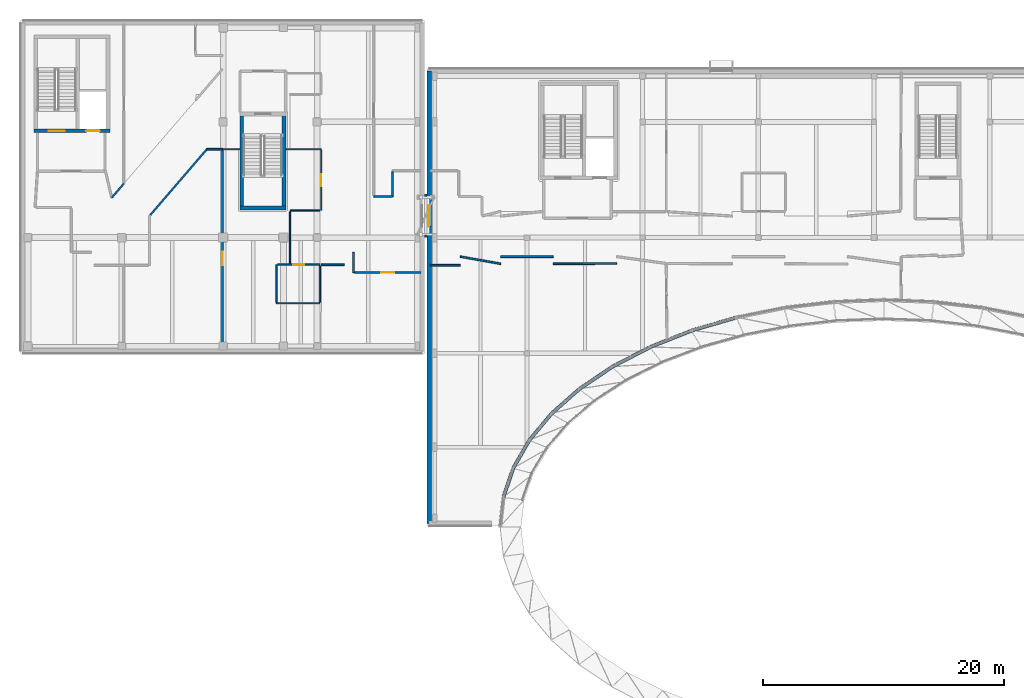
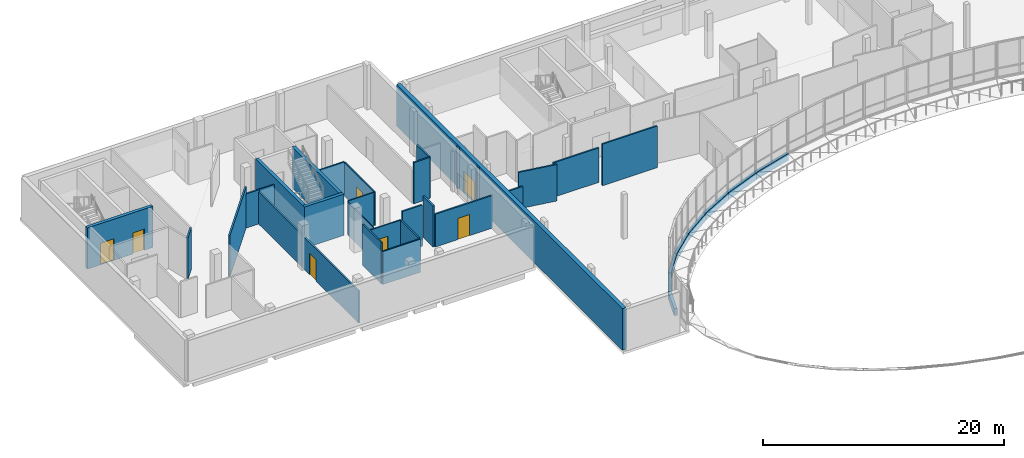
# One storey, part 25 of 41: 37 walls, 7 doors, 7 openings.
"""IFC4 building model written with IfcOpenShell, lengths in metres."""

from ifc_helpers import new_model, si_unit, direction, frame, frame_2d, origin, place, context, subcontext, project, spatial, rectangle, extrude, material, layer, layer_set, type_object, element, fill, save


model = new_model("IFC4")

# Units and contexts
model_context = context("Model", 3, precision=1e-05, world=origin(), true_north=direction((0.0, 1.0)))
body_context = subcontext(model_context, "Body", "Model", "MODEL_VIEW")
ifc_project = project(units=[si_unit("LENGTHUNIT", "METRE"), si_unit("AREAUNIT", "SQUARE_METRE"), si_unit("VOLUMEUNIT", "CUBIC_METRE"), si_unit("PLANEANGLEUNIT", "RADIAN"), si_unit("MASSUNIT", "GRAM", prefix="KILO")], contexts=[model_context])

# Site, building, storey
site_placement = place(None, origin())
site = spatial("IfcSite", under=ifc_project, at=site_placement, CompositionType="ELEMENT")
building_placement = place(site_placement, origin())
building = spatial("IfcBuilding", under=site, at=building_placement, Name="Mzevani Central Library", CompositionType="ELEMENT")
storey_placement = place(building_placement, frame((0.0, 0.0, 13.800048828125)))
storey = spatial("IfcBuildingStorey", under=building, at=storey_placement, Name="L03", CompositionType="ELEMENT", Elevation=13.800048828125)

# Walls
ifc_material_1 = material(Name="Concrete C35/45", Category="concrete")
ifc_layer_1 = layer(ifc_material_1, 0.199951171875, Name="Compartment Wall 200")
ifc_layer_set_1 = layer_set([ifc_layer_1], Name="Concrete C35/45")
wall_type_1 = type_object("IfcWallType", Name="Compartment Wall 200", PredefinedType="STANDARD", material=ifc_layer_set_1)
for number, where, z_axis, x_axis, name in (
    (1, (45.89990234375, 100.10009765625, 0.0), (0.0, 0.0, 1.0), (1.0, 0.0, 0.0), "L03 Stacks-Court Seismic Passage L03 Seismic Joint Enclosure Wall 1"),
    (2, (45.89990234375, 103.5, 0.0), (0.0, 0.0, 1.0), (1.0, 0.0, 0.0), "L03 Stacks-Court Seismic Passage L03 Seismic Joint Enclosure Wall 2"),
):
    element("IfcWall", number, at=place(storey_placement, frame(where, z_axis=z_axis, x_axis=x_axis)), inside=storey, type_object=wall_type_1, Name=name, PredefinedType="STANDARD", context=body_context, shape_type="SweptSolid", body=[
        extrude(rectangle(XDim=0.2001953125, YDim=0.199951171875, at=frame_2d((0.10009765625, 0.0))), origin(), (0.0, 0.0, 1.0), 4.239990234375),
    ])

# Wall, openings, doors
ifc_material_2 = material(Name="Concrete C40/50", Category="concrete")
ifc_layer_2 = layer(ifc_material_2, 0.300048828125, Name="Core Shear Wall 300")
ifc_layer_set_2 = layer_set([ifc_layer_2], Name="Concrete C40/50")
wall_type_2 = type_object("IfcWallType", Name="Core Shear Wall 300", PredefinedType="SHEAR", material=ifc_layer_set_2)
wall_1_placement = place(storey_placement, frame((19.800048828125, 108.85009765625, 0.0), z_axis=(0.0, 0.0, 1.0), x_axis=(-1.0, 0.0, 0.0)))
wall_1 = element("IfcWall", 3, at=wall_1_placement, inside=storey, type_object=wall_type_2, Name="L03 Core C2A North-West Firefighting Core Shear Wall (-y)", PredefinedType="SHEAR", context=body_context, shape_type="SweptSolid", body=[
    extrude(rectangle(XDim=6.300048828125, YDim=0.300048828125, at=frame_2d((3.14990234375, 0.0))), origin(), (0.0, 0.0, 1.0), 4.179931640625),
])
opening_1_placement = place(wall_1_placement, frame((3.75, 0.0, 0.0)))
opening_1 = element("IfcOpeningElement", 4, at=opening_1_placement, cuts=wall_1, Name="Opening FD-01", PredefinedType="OPENING", context=body_context, shape_type="SweptSolid", body=[
    extrude(rectangle(XDim=1.300048828125, YDim=2.199951171875, at=frame_2d((0.64990234375, 1.10009765625))), frame((0.0, 0.16015625, 0.0), z_axis=(0.0, -1.0, 0.0), x_axis=(1.0, 0.0, 0.0)), (0.0, 0.0, 1.0), 0.320068359375),
])
opening_2_placement = place(wall_1_placement, frame((0.85009765625, 0.0, 0.0)))
opening_2 = element("IfcOpeningElement", 5, at=opening_2_placement, cuts=wall_1, Name="Opening LD-02", PredefinedType="OPENING", context=body_context, shape_type="SweptSolid", body=[
    extrude(rectangle(XDim=1.10009765625, YDim=2.14990234375, at=frame_2d((0.550048828125, 1.074951171875))), frame((0.0, 0.16015625, 0.0), z_axis=(0.0, -1.0, 0.0), x_axis=(1.0, 0.0, 0.0)), (0.0, 0.0, 1.0), 0.320068359375),
])
ifc_material_3 = material(Name="Fire-rated steel door assembly", Category="steel")
door_type_1 = type_object("IfcDoorType", Name="Fire Stair Door 1300x2200", OperationType="NOTDEFINED", PredefinedType="DOOR", material=ifc_material_3)
door_1_placement = place(opening_1_placement, origin())
door_1 = element("IfcDoor", 6, at=door_1_placement, inside=storey, type_object=door_type_1, Name="L03 ST-03 Protected Exit Stair Door", OperationType="SINGLE_SWING_RIGHT", OverallHeight=2.199951171875, OverallWidth=1.300048828125, PredefinedType="DOOR", context=body_context, shape_type="SweptSolid", body=[
    extrude(rectangle(XDim=1.300048828125, YDim=2.199951171875, at=frame_2d((0.64990234375, 1.10009765625))), frame((0.0, 0.02490234375, 0.0), z_axis=(0.0, -1.0, 0.0), x_axis=(1.0, 0.0, 0.0)), (0.0, 0.0, 1.0), 0.050048828125),
])
fill(opening_1, door_1)
ifc_material_4 = material(Name="Brushed stainless steel door", Category="steel")
door_type_2 = type_object("IfcDoorType", Name="Firefighting Lift Landing Door 1100x2150", OperationType="NOTDEFINED", PredefinedType="DOOR", material=ifc_material_4)
door_2_placement = place(opening_2_placement, origin())
door_2 = element("IfcDoor", 7, at=door_2_placement, inside=storey, type_object=door_type_2, Name="L03 Lift LF-FF1 Sliding Landing Door", OperationType="SLIDING_TO_LEFT", OverallHeight=2.14990234375, OverallWidth=1.10009765625, PredefinedType="DOOR", context=body_context, shape_type="SweptSolid", body=[
    extrude(rectangle(XDim=1.10009765625, YDim=2.14990234375, at=frame_2d((0.550048828125, 1.074951171875))), frame((0.0, 0.02490234375, 0.0), z_axis=(0.0, -1.0, 0.0), x_axis=(1.0, 0.0, 0.0)), (0.0, 0.0, 1.0), 0.050048828125),
])
fill(opening_2, door_2)

# Walls
wall_2_placement = place(storey_placement, frame((34.39990234375, 102.449951171875, 0.0), z_axis=(0.0, 0.0, 1.0), x_axis=(-1.0, 0.0, 0.0)))
element("IfcWall", 8, at=wall_2_placement, inside=storey, type_object=wall_type_2, Name="L03 Core C2B Stacks East Escape Stair Shear Wall (-y)", PredefinedType="SHEAR", context=body_context, shape_type="SweptSolid", body=[
    extrude(rectangle(XDim=3.7998046875, YDim=0.300048828125, at=frame_2d((1.89990234375, 0.0))), origin(), (0.0, 0.0, 1.0), 4.179931640625),
])
for number, where, z_axis, x_axis, name in (
    (9, (30.75, 102.300048828125, 0.0), (0.0, 0.0, 1.0), (0.0, 1.0, 0.0), "L03 Core C2B Stacks East Escape Stair Shear Wall (-x)"),
    (10, (34.25, 110.39990234375, 0.0), (0.0, 0.0, 1.0), (0.0, -1.0, 0.0), "L03 Core C2B Stacks East Escape Stair Shear Wall (+x)"),
):
    element("IfcWall", number, at=place(storey_placement, frame(where, z_axis=z_axis, x_axis=x_axis)), inside=storey, type_object=wall_type_2, Name=name, PredefinedType="SHEAR", context=body_context, shape_type="SweptSolid", body=[
        extrude(rectangle(XDim=8.099853515625, YDim=0.300048828125, at=frame_2d((4.0498046875, 0.0))), origin(), (0.0, 0.0, 1.0), 4.179931640625),
    ])
ifc_material_5 = material(Name="Precast concrete C40/50", Category="concrete")
ifc_layer_3 = layer(ifc_material_5, 0.280029296875, Name="Court Spandrel Wall 280")
ifc_layer_set_3 = layer_set([ifc_layer_3], Name="Precast concrete C40/50")
wall_type_3 = type_object("IfcWallType", Name="Court Spandrel Wall 280", PredefinedType="STANDARD", material=ifc_layer_set_3)
wall_3_placement = place(storey_placement, frame((71.76611328125, 93.3642578125, 0.0), z_axis=(0.0, 0.0, 1.0), x_axis=(-0.96030470325, -0.278953180509, 0.0)))
element("IfcWall", 11, at=wall_3_placement, inside=storey, type_object=wall_type_3, Name="L03 Elliptical Court Spandrel 16", PredefinedType="STANDARD", context=body_context, shape_type="SweptSolid", body=[
    extrude(rectangle(XDim=3.860595703125, YDim=0.280029296875, at=frame_2d((1.93017578125, 0.0))), origin(), (0.0, 0.0, 1.0), 0.719970703125),
])
wall_4_placement = place(storey_placement, frame((68.034912109375, 92.26416015625, 0.0), z_axis=(0.0, 0.0, 1.0), x_axis=(-0.930531980871, -0.366210639627, 0.0)))
element("IfcWall", 12, at=wall_4_placement, inside=storey, type_object=wall_type_3, Name="L03 Elliptical Court Spandrel 17", PredefinedType="STANDARD", context=body_context, shape_type="SweptSolid", body=[
    extrude(rectangle(XDim=3.693359375, YDim=0.280029296875, at=frame_2d((1.8466796875, 0.0))), origin(), (0.0, 0.0, 1.0), 0.719970703125),
])
wall_5_placement = place(storey_placement, frame((64.58056640625, 90.888916015625, 0.0), z_axis=(0.0, 0.0, 1.0), x_axis=(-0.888444407434, -0.458984242539, 0.0)))
element("IfcWall", 13, at=wall_5_placement, inside=storey, type_object=wall_type_3, Name="L03 Elliptical Court Spandrel 18", PredefinedType="STANDARD", context=body_context, shape_type="SweptSolid", body=[
    extrude(rectangle(XDim=3.497802734375, YDim=0.280029296875, at=frame_2d((1.7490234375, 0.0))), origin(), (0.0, 0.0, 1.0), 0.719970703125),
])
wall_6_placement = place(storey_placement, frame((61.4599609375, 89.261962890625, 0.0), z_axis=(0.0, 0.0, 1.0), x_axis=(-0.830123280887, -0.557579894302, 0.0)))
element("IfcWall", 14, at=wall_6_placement, inside=storey, type_object=wall_type_3, Name="L03 Elliptical Court Spandrel 19", PredefinedType="STANDARD", context=body_context, shape_type="SweptSolid", body=[
    extrude(rectangle(XDim=3.282958984375, YDim=0.280029296875, at=frame_2d((1.6416015625, 0.0))), origin(), (0.0, 0.0, 1.0), 0.719970703125),
])
wall_7_placement = place(storey_placement, frame((58.725341796875, 87.410888671875, 0.0), z_axis=(0.0, 0.0, 1.0), x_axis=(-0.750170588014, -0.661244348844, 0.0)))
element("IfcWall", 15, at=wall_7_placement, inside=storey, type_object=wall_type_3, Name="L03 Elliptical Court Spandrel 20", PredefinedType="STANDARD", context=body_context, shape_type="SweptSolid", body=[
    extrude(rectangle(XDim=3.06103515625, YDim=0.280029296875, at=frame_2d((1.530517578125, 0.0))), origin(), (0.0, 0.0, 1.0), 0.719970703125),
])
wall_8_placement = place(storey_placement, frame((56.42236328125, 85.367431640625, 0.0), z_axis=(0.0, 0.0, 1.0), x_axis=(-0.64202925069, -0.766680142732, 0.0)))
element("IfcWall", 16, at=wall_8_placement, inside=storey, type_object=wall_type_3, Name="L03 Elliptical Court Spandrel 21", PredefinedType="STANDARD", context=body_context, shape_type="SweptSolid", body=[
    extrude(rectangle(XDim=2.847900390625, YDim=0.280029296875, at=frame_2d((1.423828125, 0.0))), origin(), (0.0, 0.0, 1.0), 0.719970703125),
])
wall_9_placement = place(storey_placement, frame((54.589599609375, 83.165771484375, 0.0), z_axis=(0.0, 0.0, 1.0), x_axis=(-0.499317302735, -0.866419200612, 0.0)))
element("IfcWall", 17, at=wall_9_placement, inside=storey, type_object=wall_type_3, Name="L03 Elliptical Court Spandrel 22", PredefinedType="STANDARD", context=body_context, shape_type="SweptSolid", body=[
    extrude(rectangle(XDim=2.660888671875, YDim=0.280029296875, at=frame_2d((1.33056640625, 0.0))), origin(), (0.0, 0.0, 1.0), 0.719970703125),
])
wall_10_placement = place(storey_placement, frame((53.25830078125, 80.8427734375, 0.0), z_axis=(0.0, 0.0, 1.0), x_axis=(-0.319974314627, -0.947426217697, 0.0)))
element("IfcWall", 18, at=wall_10_placement, inside=storey, type_object=wall_type_3, Name="L03 Elliptical Court Spandrel 23", PredefinedType="STANDARD", context=body_context, shape_type="SweptSolid", body=[
    extrude(rectangle(XDim=2.520263671875, YDim=0.280029296875, at=frame_2d((1.26025390625, 0.0))), origin(), (0.0, 0.0, 1.0), 0.719970703125),
])

# Wall, opening, door
ifc_layer_4 = layer(ifc_material_5, 0.3798828125, Name="Exterior Thermal Concrete Wall 380")
ifc_layer_set_4 = layer_set([ifc_layer_4], Name="Precast concrete C40/50")
wall_type_4 = type_object("IfcWallType", Name="Exterior Thermal Concrete Wall 380", PredefinedType="STANDARD", material=ifc_layer_set_4)
wall_11_placement = place(storey_placement, frame((46.2900390625, 76.2900390625, 0.0), z_axis=(0.0, 0.0, 1.0), x_axis=(0.0, 1.0, 0.0)))
wall_11 = element("IfcWall", 19, at=wall_11_placement, inside=storey, type_object=wall_type_4, Name="L03 V3 Exterior Thermal Wall (63)", PredefinedType="STANDARD", context=body_context, shape_type="SweptSolid", body=[
    extrude(rectangle(XDim=37.52001953125, YDim=0.3798828125, at=frame_2d((18.760009765625, 0.0))), origin(), (0.0, 0.0, 1.0), 4.219970703125),
])
opening_3_placement = place(wall_11_placement, frame((24.610107421875, 0.0, 0.0)))
opening_3 = element("IfcOpeningElement", 20, at=opening_3_placement, cuts=wall_11, Name="Opening FD-06", PredefinedType="OPENING", context=body_context, shape_type="SweptSolid", body=[
    extrude(rectangle(XDim=1.800048828125, YDim=2.199951171875, at=frame_2d((0.89990234375, 1.10009765625))), frame((0.0, 0.199951171875, 0.0), z_axis=(0.0, -1.0, 0.0), x_axis=(1.0, 0.0, 0.0)), (0.0, 0.0, 1.0), 0.39990234375),
])
door_type_3 = type_object("IfcDoorType", Name="Fire Corridor Double Door 1800x2200", OperationType="NOTDEFINED", PredefinedType="DOOR", material=ifc_material_3)
door_3_placement = place(opening_3_placement, origin())
door_3 = element("IfcDoor", 21, at=door_3_placement, inside=storey, type_object=door_type_3, Name="L03 Stacks-Court Seismic Passage L03 Fire Portal Door (V3)", OperationType="DOUBLE_DOOR_SINGLE_SWING", OverallHeight=2.199951171875, OverallWidth=1.800048828125, PredefinedType="DOOR", context=body_context, shape_type="SweptSolid", body=[
    extrude(rectangle(XDim=1.800048828125, YDim=2.199951171875, at=frame_2d((0.89990234375, 1.10009765625))), frame((0.0, 0.02490234375, 0.0), z_axis=(0.0, -1.0, 0.0), x_axis=(1.0, 0.0, 0.0)), (0.0, 0.0, 1.0), 0.050048828125),
])
fill(opening_3, door_3)

# Walls
ifc_material_6 = material(Name="Fire-rated gypsum board", Category="gypsum")
ifc_layer_5 = layer(ifc_material_6, 0.1201171875, Name="Partition Acoustic 120")
ifc_layer_set_5 = layer_set([ifc_layer_5], Name="Fire-rated gypsum board")
wall_type_5 = type_object("IfcWallType", Name="Partition Acoustic 120", PredefinedType="PARTITIONING", material=ifc_layer_set_5)
wall_12_placement = place(storey_placement, frame((37.22509765625, 94.550048828125, 0.0), z_axis=(0.0, 0.0, 1.0), x_axis=(-1.0, 0.0, 0.0)))
element("IfcWall", 22, at=wall_12_placement, inside=storey, type_object=wall_type_5, Name="L03 V2 Partition IW-02 (477)", PredefinedType="PARTITIONING", context=body_context, shape_type="SweptSolid", body=[
    extrude(rectangle(XDim=3.60009765625, YDim=0.1201171875, at=frame_2d((1.800048828125, 0.0))), origin(), (0.0, 0.0, 1.0), 3.35986328125),
])
wall_13_placement = place(storey_placement, frame((33.625, 94.64990234375, 0.0), z_axis=(0.0, 0.0, 1.0), x_axis=(0.0, 1.0, 0.0)))
element("IfcWall", 23, at=wall_13_placement, inside=storey, type_object=wall_type_5, Name="L03 V2 Partition IW-02 (478)", PredefinedType="PARTITIONING", context=body_context, shape_type="SweptSolid", body=[
    extrude(rectangle(XDim=3.10009765625, YDim=0.1201171875, at=frame_2d((1.550048828125, 0.0))), origin(), (0.0, 0.0, 1.0), 4.179931640625),
])

# Wall, opening, door
wall_14_placement = place(storey_placement, frame((33.72509765625, 97.75, 0.0), z_axis=(0.0, 0.0, 1.0), x_axis=(1.0, 0.0, 0.0)))
wall_14 = element("IfcWall", 24, at=wall_14_placement, inside=storey, type_object=wall_type_5, Name="L03 V2 Partition IW-02 (479)", PredefinedType="PARTITIONING", context=body_context, shape_type="SweptSolid", body=[
    extrude(rectangle(XDim=3.5, YDim=0.1201171875, at=frame_2d((1.75, 0.0))), origin(), (0.0, 0.0, 1.0), 3.35986328125),
])
opening_4_placement = place(wall_14_placement, frame((1.27490234375, 0.0, 0.0)))
opening_4 = element("IfcOpeningElement", 25, at=opening_4_placement, cuts=wall_14, Name="Opening ID-02", PredefinedType="OPENING", context=body_context, shape_type="SweptSolid", body=[
    extrude(rectangle(XDim=0.949951171875, YDim=2.14990234375, at=frame_2d((0.47509765625, 1.074951171875))), frame((0.0, 0.070068359375, 0.0), z_axis=(0.0, -1.0, 0.0), x_axis=(1.0, 0.0, 0.0)), (0.0, 0.0, 1.0), 0.14013671875),
])
ifc_material_7 = material(Name="Fire-rated solid oak leaf")
door_type_4 = type_object("IfcDoorType", Name="Accessible WC Door 950x2150", OperationType="NOTDEFINED", PredefinedType="DOOR", material=ifc_material_7)
door_4_placement = place(opening_4_placement, origin())
door_4 = element("IfcDoor", 26, at=door_4_placement, inside=storey, type_object=door_type_4, Name="L03 Accessible WC and Public Toilet V2 Door", OperationType="SINGLE_SWING_LEFT", OverallHeight=2.14990234375, OverallWidth=0.949951171875, PredefinedType="DOOR", context=body_context, shape_type="SweptSolid", body=[
    extrude(rectangle(XDim=0.949951171875, YDim=2.14990234375, at=frame_2d((0.47509765625, 1.074951171875))), frame((0.0, 0.02490234375, 0.0), z_axis=(0.0, -1.0, 0.0), x_axis=(1.0, 0.0, 0.0)), (0.0, 0.0, 1.0), 0.050048828125),
])
fill(opening_4, door_4)

# Walls
wall_15_placement = place(storey_placement, frame((37.22509765625, 97.64990234375, 0.0), z_axis=(0.0, 0.0, 1.0), x_axis=(0.0, -1.0, 0.0)))
element("IfcWall", 27, at=wall_15_placement, inside=storey, type_object=wall_type_5, Name="L03 V2 Partition IW-02 (480)", PredefinedType="PARTITIONING", context=body_context, shape_type="SweptSolid", body=[
    extrude(rectangle(XDim=3.0, YDim=0.1201171875, at=frame_2d((1.5, 0.0))), origin(), (0.0, 0.0, 1.0), 3.369873046875),
])
ifc_layer_6 = layer(ifc_material_6, 0.10009765625, Name="Partition Gypsum 100")
ifc_layer_set_6 = layer_set([ifc_layer_6], Name="Fire-rated gypsum board")
wall_type_6 = type_object("IfcWallType", Name="Partition Gypsum 100", PredefinedType="PARTITIONING", material=ifc_layer_set_6)
wall_16_placement = place(storey_placement, frame((34.39990234375, 107.324951171875, 0.0), z_axis=(0.0, 0.0, 1.0), x_axis=(1.0, 0.0, 0.0)))
element("IfcWall", 28, at=wall_16_placement, inside=storey, type_object=wall_type_6, Name="L03 V2 Partition IW-01 (501)", PredefinedType="PARTITIONING", context=body_context, shape_type="SweptSolid", body=[
    extrude(rectangle(XDim=2.93505859375, YDim=0.10009765625, at=frame_2d((1.467529296875, 0.0))), origin(), (0.0, 0.0, 1.0), 3.419921875),
])

# Wall, opening, door
wall_17_placement = place(storey_placement, frame((37.3349609375, 107.22509765625, 0.0), z_axis=(0.0, 0.0, 1.0), x_axis=(0.0, -1.0, 0.0)))
wall_17 = element("IfcWall", 29, at=wall_17_placement, inside=storey, type_object=wall_type_6, Name="L03 V2 Partition IW-01 (502)", PredefinedType="PARTITIONING", context=body_context, shape_type="SweptSolid", body=[
    extrude(rectangle(XDim=4.97509765625, YDim=0.10009765625, at=frame_2d((2.487548828125, 0.0))), origin(), (0.0, 0.0, 1.0), 3.419921875),
])
opening_5_placement = place(wall_17_placement, frame((1.987548828125, 0.0, 0.0)))
opening_5 = element("IfcOpeningElement", 30, at=opening_5_placement, cuts=wall_17, Name="Opening ID-04", PredefinedType="OPENING", context=body_context, shape_type="SweptSolid", body=[
    extrude(rectangle(XDim=1.0, YDim=2.14990234375, at=frame_2d((0.5, 1.074951171875))), frame((0.0, 0.06005859375, 0.0), z_axis=(0.0, -1.0, 0.0), x_axis=(1.0, 0.0, 0.0)), (0.0, 0.0, 1.0), 0.1201171875),
])
door_type_5 = type_object("IfcDoorType", Name="Staff Office Door 1000x2150", OperationType="NOTDEFINED", PredefinedType="DOOR", material=ifc_material_7)
door_5_placement = place(opening_5_placement, origin())
door_5 = element("IfcDoor", 31, at=door_5_placement, inside=storey, type_object=door_type_5, Name="L03 Senior Archivist Office Door", OperationType="SINGLE_SWING_RIGHT", OverallHeight=2.14990234375, OverallWidth=1.0, PredefinedType="DOOR", context=body_context, shape_type="SweptSolid", body=[
    extrude(rectangle(XDim=1.0, YDim=2.14990234375, at=frame_2d((0.5, 1.074951171875))), frame((0.0, 0.02490234375, 0.0), z_axis=(0.0, -1.0, 0.0), x_axis=(1.0, 0.0, 0.0)), (0.0, 0.0, 1.0), 0.050048828125),
])
fill(opening_5, door_5)

# Walls
wall_18_placement = place(storey_placement, frame((37.235107421875, 102.25, 0.0), z_axis=(0.0, 0.0, 1.0), x_axis=(-1.0, 0.0, 0.0)))
element("IfcWall", 32, at=wall_18_placement, inside=storey, type_object=wall_type_6, Name="L03 V2 Partition IW-01 (503)", PredefinedType="PARTITIONING", context=body_context, shape_type="SweptSolid", body=[
    extrude(rectangle(XDim=2.485107421875, YDim=0.10009765625, at=frame_2d((1.24267578125, 0.0))), origin(), (0.0, 0.0, 1.0), 3.419921875),
])
wall_19_placement = place(storey_placement, frame((34.75, 102.14990234375, 0.0), z_axis=(0.0, 0.0, 1.0), x_axis=(0.0, -1.0, 0.0)))
element("IfcWall", 33, at=wall_19_placement, inside=storey, type_object=wall_type_6, Name="L03 V2 Partition IW-01 (504)", PredefinedType="PARTITIONING", context=body_context, shape_type="SweptSolid", body=[
    extrude(rectangle(XDim=4.2998046875, YDim=0.10009765625, at=frame_2d((2.14990234375, 0.0))), origin(), (0.0, 0.0, 1.0), 3.31005859375),
])
wall_20_placement = place(storey_placement, frame((29.14990234375, 107.324951171875, 0.0), z_axis=(0.0, 0.0, 1.0), x_axis=(1.0, 0.0, 0.0)))
element("IfcWall", 34, at=wall_20_placement, inside=storey, type_object=wall_type_6, Name="L03 V2 Partition IW-01 (505)", PredefinedType="PARTITIONING", context=body_context, shape_type="SweptSolid", body=[
    extrude(rectangle(XDim=1.4501953125, YDim=0.10009765625, at=frame_2d((0.72509765625, 0.0))), origin(), (0.0, 0.0, 1.0), 3.4599609375),
])
ifc_layer_7 = layer(ifc_material_6, 0.14990234375, Name="Partition Study 150")
ifc_layer_set_7 = layer_set([ifc_layer_7], Name="Fire-rated gypsum board")
wall_type_7 = type_object("IfcWallType", Name="Partition Study 150", PredefinedType="PARTITIONING", material=ifc_layer_set_7)
wall_21_placement = place(storey_placement, frame((20.965087890625, 104.474609375, 0.0), z_axis=(0.0, 0.0, 1.0), x_axis=(-0.652368947126, -0.75790154824, 0.0)))
element("IfcWall", 35, at=wall_21_placement, inside=storey, type_object=wall_type_7, Name="L03 V2 Partition IW-03 (489)", PredefinedType="PARTITIONING", context=body_context, shape_type="SweptSolid", body=[
    extrude(rectangle(XDim=1.540771484375, YDim=0.14990234375, at=frame_2d((0.7705078125, 0.0))), origin(), (0.0, 0.0, 1.0), 4.179931640625),
])
wall_22_placement = place(storey_placement, frame((23.165283203125, 101.880126953125, 0.0), z_axis=(0.0, 0.0, 1.0), x_axis=(0.652376770796, 0.757894813893, 0.0)))
element("IfcWall", 36, at=wall_22_placement, inside=storey, type_object=wall_type_7, Name="L03 V2 Partition IW-03 (491)", PredefinedType="PARTITIONING", context=body_context, shape_type="SweptSolid", body=[
    extrude(rectangle(XDim=7.18408203125, YDim=0.14990234375, at=frame_2d((3.592041015625, 0.0))), origin(), (0.0, 0.0, 1.0), 4.179931640625),
])
wall_23_placement = place(storey_placement, frame((27.85205078125, 107.324951171875, 0.0), z_axis=(0.0, 0.0, 1.0), x_axis=(1.0, 0.0, 0.0)))
element("IfcWall", 37, at=wall_23_placement, inside=storey, type_object=wall_type_7, Name="L03 V2 Partition IW-03 (492)", PredefinedType="PARTITIONING", context=body_context, shape_type="SweptSolid", body=[
    extrude(rectangle(XDim=1.2978515625, YDim=0.14990234375, at=frame_2d((0.64892578125, 0.0))), origin(), (0.0, 0.0, 1.0), 3.4599609375),
])

# Wall, opening, door
wall_24_placement = place(storey_placement, frame((29.14990234375, 107.22509765625, 0.0), z_axis=(0.0, 0.0, 1.0), x_axis=(0.0, -1.0, 0.0)))
wall_24 = element("IfcWall", 38, at=wall_24_placement, inside=storey, type_object=wall_type_7, Name="L03 V2 Partition IW-03 (493)", PredefinedType="PARTITIONING", context=body_context, shape_type="SweptSolid", body=[
    extrude(rectangle(XDim=16.53515625, YDim=0.14990234375, at=frame_2d((8.267578125, 0.0))), origin(), (0.0, 0.0, 1.0), 3.260009765625),
])
opening_6_placement = place(wall_24_placement, frame((8.41748046875, 0.0, 0.0)))
opening_6 = element("IfcOpeningElement", 39, at=opening_6_placement, cuts=wall_24, Name="Opening FD-04", PredefinedType="OPENING", context=body_context, shape_type="SweptSolid", body=[
    extrude(rectangle(XDim=1.10009765625, YDim=2.14990234375, at=frame_2d((0.550048828125, 1.074951171875))), frame((0.0, 0.0849609375, 0.0), z_axis=(0.0, -1.0, 0.0), x_axis=(1.0, 0.0, 0.0)), (0.0, 0.0, 1.0), 0.169921875),
])
door_type_6 = type_object("IfcDoorType", Name="Fire Compartment Door 1100x2150", OperationType="NOTDEFINED", PredefinedType="DOOR", material=ifc_material_3)
door_6_placement = place(opening_6_placement, origin())
door_6 = element("IfcDoor", 40, at=door_6_placement, inside=storey, type_object=door_type_6, Name="L03 Mobile Compact Shelving Hall L03 East Door", OperationType="SINGLE_SWING_LEFT", OverallHeight=2.14990234375, OverallWidth=1.10009765625, PredefinedType="DOOR", context=body_context, shape_type="SweptSolid", body=[
    extrude(rectangle(XDim=1.10009765625, YDim=2.14990234375, at=frame_2d((0.550048828125, 1.074951171875))), frame((0.0, 0.02490234375, 0.0), z_axis=(0.0, -1.0, 0.0), x_axis=(1.0, 0.0, 0.0)), (0.0, 0.0, 1.0), 0.050048828125),
])
fill(opening_6, door_6)

# Wall
wall_25_placement = place(storey_placement, frame((40.02001953125, 98.780029296875, 0.0), z_axis=(0.0, 0.0, 1.0), x_axis=(0.0, -1.0, 0.0)))
element("IfcWall", 41, at=wall_25_placement, inside=storey, type_object=wall_type_7, Name="L03 V2 Partition IW-03 (506)", PredefinedType="PARTITIONING", context=body_context, shape_type="SweptSolid", body=[
    extrude(rectangle(XDim=1.679931640625, YDim=0.14990234375, at=frame_2d((0.83984375, 0.0))), origin(), (0.0, 0.0, 1.0), 4.179931640625),
])

# Wall, opening, door
wall_26_placement = place(storey_placement, frame((40.1201171875, 97.10009765625, 0.0), z_axis=(0.0, 0.0, 1.0), x_axis=(1.0, 0.0, 0.0)))
wall_26 = element("IfcWall", 42, at=wall_26_placement, inside=storey, type_object=wall_type_7, Name="L03 V2 Partition IW-03 (507)", PredefinedType="PARTITIONING", context=body_context, shape_type="SweptSolid", body=[
    extrude(rectangle(XDim=5.489990234375, YDim=0.14990234375, at=frame_2d((2.7451171875, 0.0))), origin(), (0.0, 0.0, 1.0), 3.320068359375),
])
opening_7_placement = place(wall_26_placement, frame((2.195068359375, 0.0, 0.0)))
opening_7 = element("IfcOpeningElement", 43, at=opening_7_placement, cuts=wall_26, Name="Opening FD-04", PredefinedType="OPENING", context=body_context, shape_type="SweptSolid", body=[
    extrude(rectangle(XDim=1.10009765625, YDim=2.14990234375, at=frame_2d((0.550048828125, 1.074951171875))), frame((0.0, 0.0849609375, 0.0), z_axis=(0.0, -1.0, 0.0), x_axis=(1.0, 0.0, 0.0)), (0.0, 0.0, 1.0), 0.169921875),
])
door_7_placement = place(opening_7_placement, origin())
door_7 = element("IfcDoor", 44, at=door_7_placement, inside=storey, type_object=door_type_6, Name="L03 Mobile Compact Shelving Hall L03 West 2 Door", OperationType="SINGLE_SWING_LEFT", OverallHeight=2.14990234375, OverallWidth=1.10009765625, PredefinedType="DOOR", context=body_context, shape_type="SweptSolid", body=[
    extrude(rectangle(XDim=1.10009765625, YDim=2.14990234375, at=frame_2d((0.550048828125, 1.074951171875))), frame((0.0, 0.02490234375, 0.0), z_axis=(0.0, -1.0, 0.0), x_axis=(1.0, 0.0, 0.0)), (0.0, 0.0, 1.0), 0.050048828125),
])
fill(opening_7, door_7)

# Walls
wall_27_placement = place(storey_placement, frame((37.3349609375, 97.75, 0.0), z_axis=(0.0, 0.0, 1.0), x_axis=(1.0, 0.0, 0.0)))
element("IfcWall", 45, at=wall_27_placement, inside=storey, type_object=wall_type_7, Name="L03 V2 Partition IW-03 (508)", PredefinedType="PARTITIONING", context=body_context, shape_type="SweptSolid", body=[
    extrude(rectangle(XDim=1.9150390625, YDim=0.14990234375, at=frame_2d((0.95751953125, 0.0))), origin(), (0.0, 0.0, 1.0), 4.179931640625),
])
wall_28_placement = place(storey_placement, frame((43.25, 105.449951171875, 0.0), z_axis=(0.0, 0.0, 1.0), x_axis=(0.0, -1.0, 0.0)))
element("IfcWall", 46, at=wall_28_placement, inside=storey, type_object=wall_type_7, Name="L03 V2 Partition IW-03 (510)", PredefinedType="PARTITIONING", context=body_context, shape_type="SweptSolid", body=[
    extrude(rectangle(XDim=2.050048828125, YDim=0.14990234375, at=frame_2d((1.02490234375, 0.0))), origin(), (0.0, 0.0, 1.0), 4.179931640625),
])
wall_29_placement = place(storey_placement, frame((43.25, 103.39990234375, 0.0), z_axis=(0.0, 0.0, 1.0), x_axis=(-1.0, 0.0, 0.0)))
element("IfcWall", 47, at=wall_29_placement, inside=storey, type_object=wall_type_7, Name="L03 V2 Partition IW-03 (511)", PredefinedType="PARTITIONING", context=body_context, shape_type="SweptSolid", body=[
    extrude(rectangle(XDim=1.550048828125, YDim=0.14990234375, at=frame_2d((0.77490234375, 0.0))), origin(), (0.0, 0.0, 1.0), 4.179931640625),
])
wall_30_placement = place(storey_placement, frame((46.389892578125, 97.699951171875, 0.0), z_axis=(0.0, 0.0, 1.0), x_axis=(1.0, 0.0, 0.0)))
element("IfcWall", 48, at=wall_30_placement, inside=storey, type_object=wall_type_7, Name="L03 V3 Partition IW-03 (517)", PredefinedType="PARTITIONING", context=body_context, shape_type="SweptSolid", body=[
    extrude(rectangle(XDim=2.485107421875, YDim=0.14990234375, at=frame_2d((1.24267578125, 0.0))), origin(), (0.0, 0.0, 1.0), 2.71484375),
])
wall_31_placement = place(storey_placement, frame((48.875, 98.419921875, 0.0), z_axis=(0.0, 0.0, 1.0), x_axis=(0.984592993821, -0.174861764024, 0.0)))
element("IfcWall", 49, at=wall_31_placement, inside=storey, type_object=wall_type_7, Name="L03 V3 Partition IW-03 (518)", PredefinedType="PARTITIONING", context=body_context, shape_type="SweptSolid", body=[
    extrude(rectangle(XDim=3.402587890625, YDim=0.14990234375, at=frame_2d((1.701171875, 0.0))), origin(), (0.0, 0.0, 1.0), 3.699951171875),
])
wall_32_placement = place(storey_placement, frame((52.22509765625, 98.419921875, 0.0), z_axis=(0.0, 0.0, 1.0), x_axis=(1.0, 0.0, 0.0)))
element("IfcWall", 50, at=wall_32_placement, inside=storey, type_object=wall_type_7, Name="L03 V3 Partition IW-03 (519)", PredefinedType="PARTITIONING", context=body_context, shape_type="SweptSolid", body=[
    extrude(rectangle(XDim=4.349853515625, YDim=0.14990234375, at=frame_2d((2.1748046875, 0.0))), origin(), (0.0, 0.0, 1.0), 3.5),
])
wall_33_placement = place(storey_placement, frame((56.574951171875, 97.824951171875, 0.0), z_axis=(0.0, 0.0, 1.0), x_axis=(0.999988638175, 0.004766919504, 0.0)))
element("IfcWall", 51, at=wall_33_placement, inside=storey, type_object=wall_type_7, Name="L03 V3 Partition IW-03 (520)", PredefinedType="PARTITIONING", context=body_context, shape_type="SweptSolid", body=[
    extrude(rectangle(XDim=5.275146484375, YDim=0.14990234375, at=frame_2d((2.6376953125, 0.0))), origin(), (0.0, 0.0, 1.0), 4.219970703125),
])

save(model, "model.ifc")
